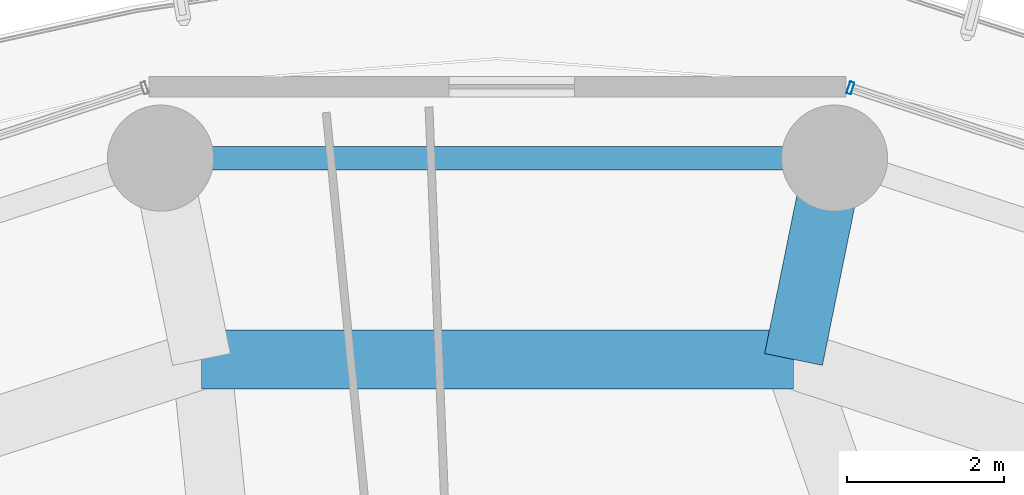
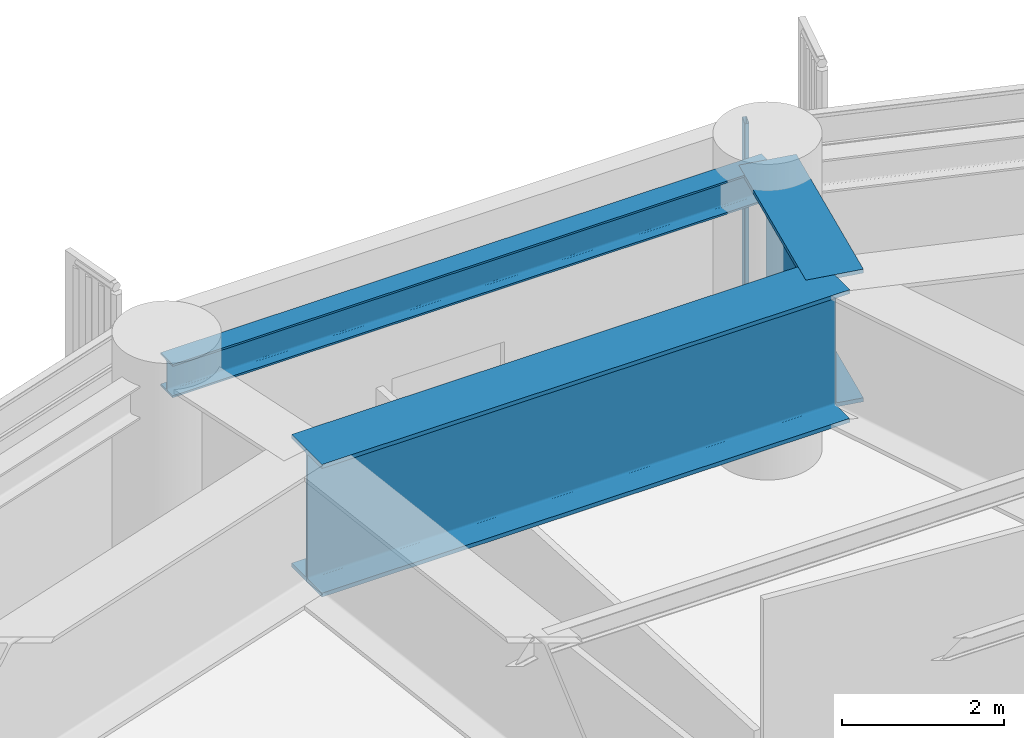
# One storey, part 21 of 34: 3 beams, 1 member, 1 element without a shape of its own.
"""IFC4 building model written with IfcOpenShell, lengths in metres."""

from ifc_helpers import new_model, si_unit, direction, frame, origin, origin_2d, place, context, subcontext, project, spatial, hollow_rectangle, i_section, extrude, material, layer, layer_set, material_profile, profile_set, type_object, element, aggregate, save


model = new_model("IFC4")

# Units and contexts
model_context = context("Model", 3, precision=1e-05, world=origin(), true_north=direction((0.0, 1.0)))
body_context = subcontext(model_context, "Body", "Model", "MODEL_VIEW")
ifc_project = project(units=[si_unit("LENGTHUNIT", "METRE"), si_unit("AREAUNIT", "SQUARE_METRE"), si_unit("VOLUMEUNIT", "CUBIC_METRE"), si_unit("PLANEANGLEUNIT", "RADIAN"), si_unit("MASSUNIT", "GRAM", prefix="KILO")], contexts=[model_context])

# Site, building, storey
site_placement = place(None, origin())
site = spatial("IfcSite", under=ifc_project, at=site_placement, CompositionType="ELEMENT")
building_placement = place(site_placement, origin())
building = spatial("IfcBuilding", under=site, at=building_placement, Name="Kelanora Arch Commons", CompositionType="ELEMENT")
storey_placement = place(building_placement, frame((0.0, 0.0, 125.10009765625)))
storey = spatial("IfcBuildingStorey", under=building, at=storey_placement, Name="L32", CompositionType="ELEMENT", Elevation=125.10009765625)

# Beams
ifc_material_1 = material(Name="Steel S355", Category="steel")
ifc_material_profile_1 = material_profile(ifc_material_1, i_section(OverallWidth=0.300048828125, OverallDepth=0.5, WebThickness=0.014404296875, FlangeThickness=0.028076171875, FilletRadius=0.027099609375, at=origin_2d()), Name="HEB500")
ifc_profile_set_1 = profile_set([ifc_material_profile_1], Name="Steel S355")
beam_type_1 = type_object("IfcBeamType", Name="BM-SPN-Z2", PredefinedType="SPANDREL", material=ifc_profile_set_1)
beam_1_placement = place(storey_placement, frame((78.28564453125, 79.74462890625, 4.10986328125), z_axis=(-1.0, 0.0, 0.0), x_axis=(0.0, -1.0, 0.0)))
element("IfcBeam", 1, at=beam_1_placement, inside=storey, type_object=beam_type_1, Name="Perimeter Spandrel Beam BS-08 L32", PredefinedType="SPANDREL", context=body_context, shape_type="SweptSolid", body=[
    extrude(i_section(OverallWidth=0.300048828125, OverallDepth=0.5, WebThickness=0.014404296875, FlangeThickness=0.028076171875, FilletRadius=0.027099609375, at=origin_2d()), origin(), (0.0, 0.0, 1.0), 8.5712890625),
])
ifc_material_profile_2 = material_profile(ifc_material_1, i_section(OverallWidth=0.75, OverallDepth=2.0, WebThickness=0.034912109375, FlangeThickness=0.06005859375, FilletRadius=0.028076171875, at=origin_2d()), Name="PG2000x750")
ifc_profile_set_2 = profile_set([ifc_material_profile_2], Name="Steel S355")
beam_type_2 = type_object("IfcBeamType", Name="BM-XFER-SET", PredefinedType="USERDEFINED", material=ifc_profile_set_2)
beam_2_placement = place(storey_placement, frame((77.7646484375, 77.18408203125, 3.35986328125), z_axis=(0.199385185861, 0.979921194617, 0.0), x_axis=(-0.979921194617, 0.199385185861, 0.0)))
element("IfcBeam", 2, at=beam_2_placement, inside=storey, type_object=beam_type_2, Name="Radial Floor Girder BR-08 L32", ObjectType="TRANSFER_GIRDER", PredefinedType="USERDEFINED", context=body_context, shape_type="SweptSolid", body=[
    extrude(i_section(OverallWidth=0.75, OverallDepth=2.0, WebThickness=0.034912109375, FlangeThickness=0.06005859375, FilletRadius=0.028076171875, at=origin_2d()), origin(), (0.0, 0.0, 1.0), 2.613037109375),
])
beam_3_placement = place(storey_placement, frame((77.7646484375, 77.18408203125, 3.35986328125), z_axis=(-1.0, 0.0, 0.0), x_axis=(0.0, -1.0, 0.0)))
element("IfcBeam", 3, at=beam_3_placement, inside=storey, type_object=beam_type_2, Name="Setback Inner Transfer Ring BSI-08 L32", ObjectType="TRANSFER_GIRDER", PredefinedType="USERDEFINED", context=body_context, shape_type="SweptSolid", body=[
    extrude(i_section(OverallWidth=0.75, OverallDepth=2.0, WebThickness=0.034912109375, FlangeThickness=0.06005859375, FilletRadius=0.028076171875, at=origin_2d()), origin(), (0.0, 0.0, 1.0), 7.529296875),
])

# Curtain wall, member
ifc_material_2 = material(Name="Terracotta ceramic-fritted low-E glass and aluminium", Category="masonry")
ifc_layer = layer(ifc_material_2, 0.159912109375)
ifc_layer_set = layer_set([ifc_layer], Name="Terracotta ceramic-fritted low-E glass and aluminium")
curtain_wall_type = type_object("IfcCurtainWallType", Name="CW-SYS-01", PredefinedType="NOTDEFINED", material=ifc_layer_set)
curtain_wall_placement = place(storey_placement, origin())
curtain_wall = element("IfcCurtainWall", 4, at=curtain_wall_placement, inside=storey, type_object=curtain_wall_type, Name="Unitised Curtain Wall L32-B03", PredefinedType="NOTDEFINED")
ifc_material_3 = material(Name="Powder-coated aluminium terracotta", Category="masonry")
ifc_material_profile_3 = material_profile(ifc_material_3, hollow_rectangle(XDim=0.159912109375, YDim=0.06005859375, WallThickness=0.0048828125, InnerFilletRadius=0.0048828125, OuterFilletRadius=0.010009765625, at=origin_2d()), Name="CWM160x60")
ifc_profile_set_3 = profile_set([ifc_material_profile_3], Name="Powder-coated aluminium terracotta")
member_type = type_object("IfcMemberType", Name="CWM-STD", PredefinedType="MULLION", material=ifc_profile_set_3)
member_placement = place(storey_placement, frame((78.48828125, 80.636474609375, 0.0), z_axis=(0.0, 0.0, 1.0), x_axis=(-0.31080470294, -0.950473795867, 0.0)))
member = element("IfcMember", 5, at=member_placement, type_object=member_type, Name="CW-01 mullion 3", PredefinedType="MULLION", context=body_context, shape_type="SweptSolid", body=[
    extrude(hollow_rectangle(XDim=0.159912109375, YDim=0.06005859375, WallThickness=0.0048828125, InnerFilletRadius=0.0048828125, OuterFilletRadius=0.010009765625, at=origin_2d()), origin(), (0.0, 0.0, 1.0), 4.344970703125),
])
aggregate(curtain_wall, [member])

save(model, "model.ifc")
